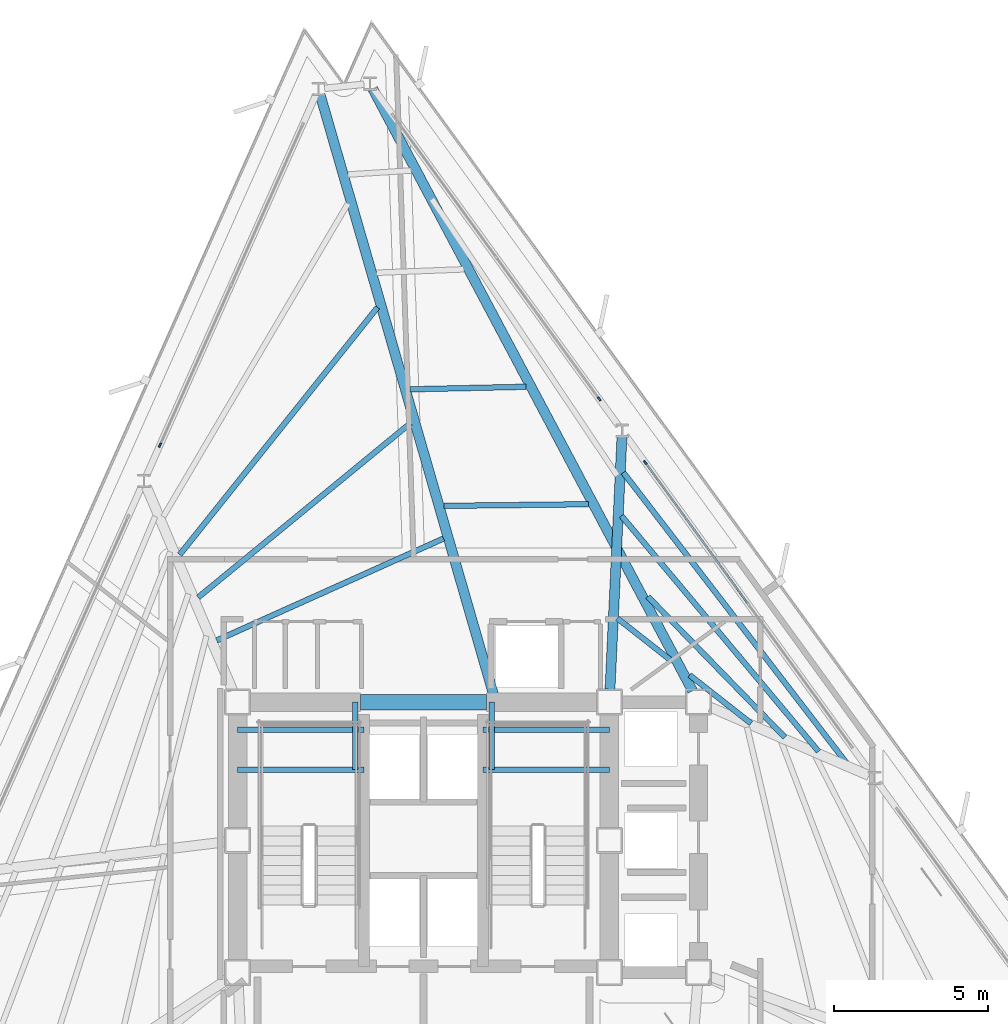
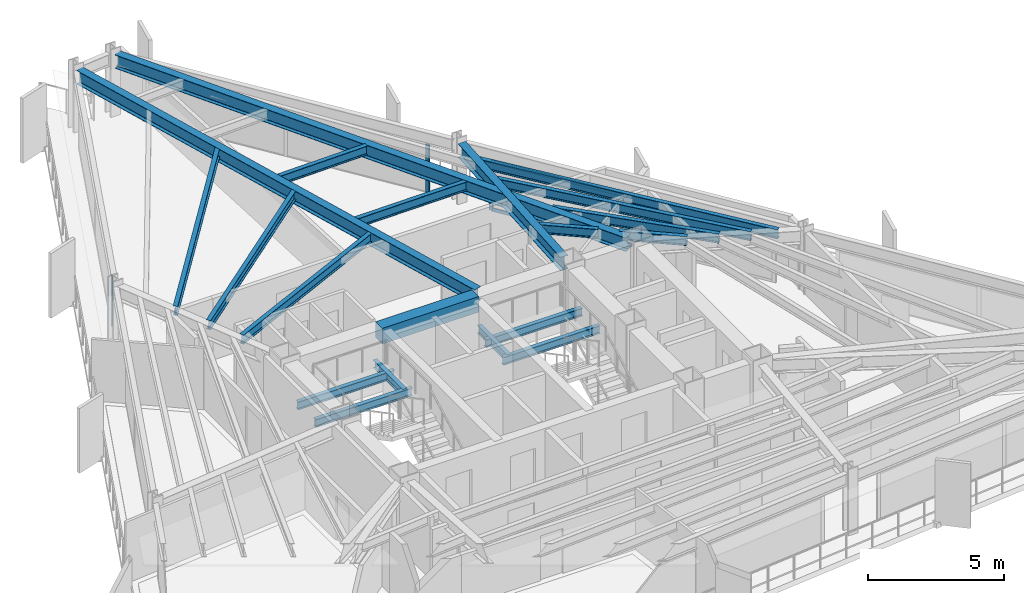
# One storey, part 4 of 12: 20 beams, 5 members, 3 elements without a shape of their own.
"""IFC4 building model written with IfcOpenShell, lengths in metres."""

from ifc_helpers import new_model, si_unit, direction, frame, origin, origin_2d, place, context, subcontext, project, spatial, rectangle, i_section, extrude, material, layer, layer_set, material_profile, profile_set, type_object, element, aggregate, save


model = new_model("IFC4")

# Units and contexts
model_context = context("Model", 3, precision=1e-05, world=origin(), true_north=direction((0.0, 1.0)))
body_context = subcontext(model_context, "Body", "Model", "MODEL_VIEW")
ifc_project = project(units=[si_unit("LENGTHUNIT", "METRE"), si_unit("AREAUNIT", "SQUARE_METRE"), si_unit("VOLUMEUNIT", "CUBIC_METRE"), si_unit("PLANEANGLEUNIT", "RADIAN"), si_unit("MASSUNIT", "GRAM", prefix="KILO")], contexts=[model_context])

# Site, building, storey
site_placement = place(None, origin())
site = spatial("IfcSite", under=ifc_project, at=site_placement, CompositionType="ELEMENT")
building_placement = place(site_placement, origin())
building = spatial("IfcBuilding", under=site, at=building_placement, Name="Rocaltana Carrier Exchange", CompositionType="ELEMENT")
storey_placement = place(building_placement, frame((0.0, 0.0, 107.679931640625)))
storey = spatial("IfcBuildingStorey", under=building, at=storey_placement, Name="L33", CompositionType="ELEMENT", Elevation=107.679931640625)

# Curtain wall, member
ifc_material_1 = material(Name="Aluminium 6063-T6", Category="aluminium")
ifc_layer = layer(ifc_material_1, 0.14990234375)
ifc_layer_set = layer_set([ifc_layer], Name="Aluminium 6063-T6")
curtain_wall_type = type_object("IfcCurtainWallType", Name="Mid-Tower Unitised Curtain Wall CW-03", PredefinedType="NOTDEFINED", material=ifc_layer_set)
curtain_wall_1_placement = place(storey_placement, origin())
curtain_wall_1 = element("IfcCurtainWall", 1, at=curtain_wall_1_placement, inside=storey, type_object=curtain_wall_type, Name="L33 CW-03 Run CW-L33-F1S2", PredefinedType="NOTDEFINED")
ifc_material_2 = material(Name="Aluminium 6063-T6", Category="aluminium")
ifc_material_profile_1 = material_profile(ifc_material_2, rectangle(XDim=0.06005859375, YDim=0.14990234375, at=origin_2d()), Name="AL-60X150")
ifc_profile_set_1 = profile_set([ifc_material_profile_1], Name="Aluminium 6063-T6")
member_type_1 = type_object("IfcMemberType", Name="CW-03 Mullion AL-60X150", PredefinedType="MULLION", material=ifc_profile_set_1)
member_1_placement = place(storey_placement, frame((7.22021484375, 12.29541015625, 0.0), z_axis=(0.0, 0.0, 1.0), x_axis=(-0.809013555195, -0.587789985889, 0.0)))
member_1 = element("IfcMember", 2, at=member_1_placement, type_object=member_type_1, Name="CW-03 mullion 3", PredefinedType="MULLION", context=body_context, shape_type="SweptSolid", body=[
    extrude(rectangle(XDim=0.06005859375, YDim=0.14990234375, at=origin_2d()), origin(), (0.0, 0.0, 1.0), 2.218017578125),
])

curtain_wall_2_placement = place(storey_placement, origin())
curtain_wall_2 = element("IfcCurtainWall", 3, at=curtain_wall_2_placement, inside=storey, type_object=curtain_wall_type, Name="L33 CW-03 Run CW-L33-F1S3", PredefinedType="NOTDEFINED")
member_2_placement = place(storey_placement, frame((5.715576171875, 14.366455078125, 0.0), z_axis=(0.0, 0.0, 1.0), x_axis=(-0.809013555195, -0.587789985889, 0.0)))
member_2 = element("IfcMember", 4, at=member_2_placement, type_object=member_type_1, Name="CW-03 mullion 1", PredefinedType="MULLION", context=body_context, shape_type="SweptSolid", body=[
    extrude(rectangle(XDim=0.06005859375, YDim=0.14990234375, at=origin_2d()), origin(), (0.0, 0.0, 1.0), 2.218017578125),
])
aggregate(curtain_wall_2, [member_2])

curtain_wall_3_placement = place(storey_placement, origin())
curtain_wall_3 = element("IfcCurtainWall", 5, at=curtain_wall_3_placement, inside=storey, type_object=curtain_wall_type, Name="L33 CW-03 Run CW-L33-F2S1", PredefinedType="NOTDEFINED")
member_3_placement = place(storey_placement, frame((-8.577392578125, 12.8642578125, 0.0), z_axis=(0.0, 0.0, 1.0), x_axis=(0.913543791084, -0.406740386206, 0.0)))
member_3 = element("IfcMember", 6, at=member_3_placement, type_object=member_type_1, Name="CW-03 mullion 3", PredefinedType="MULLION", context=body_context, shape_type="SweptSolid", body=[
    extrude(rectangle(XDim=0.06005859375, YDim=0.14990234375, at=origin_2d()), origin(), (0.0, 0.0, 1.0), 2.218017578125),
])
aggregate(curtain_wall_3, [member_3])

# Member
ifc_material_3 = material(Name="Aluminium 6063-T6", Category="aluminium")
ifc_material_profile_2 = material_profile(ifc_material_3, rectangle(XDim=0.06005859375, YDim=0.14990234375, at=origin_2d()), Name="AL-60X150")
ifc_profile_set_2 = profile_set([ifc_material_profile_2], Name="Aluminium 6063-T6")
member_type_2 = type_object("IfcMemberType", Name="CW-03 Transom AL-60X150", PredefinedType="USERDEFINED", material=ifc_profile_set_2)
member_4_placement = place(storey_placement, frame((10.554931640625, 7.70556640625, 0.030029296875), z_axis=(-0.58778321885, 0.809018471753, 0.0), x_axis=(-0.809018471753, -0.58778321885, 0.0)))
member_4 = element("IfcMember", 7, at=member_4_placement, type_object=member_type_2, Name="CW-03 transom 2.1", ObjectType="TRANSOM", PredefinedType="USERDEFINED", context=body_context, shape_type="SweptSolid", body=[
    extrude(rectangle(XDim=0.06005859375, YDim=0.14990234375, at=origin_2d()), origin(), (0.0, 0.0, 1.0), 5.6435546875),
])

member_5_placement = place(storey_placement, frame((10.554931640625, 7.70556640625, 2.18798828125), z_axis=(-0.58778321885, 0.809018471753, 0.0), x_axis=(-0.809018471753, -0.58778321885, 0.0)))
member_5 = element("IfcMember", 8, at=member_5_placement, type_object=member_type_2, Name="CW-03 transom 2.2", ObjectType="TRANSOM", PredefinedType="USERDEFINED", context=body_context, shape_type="SweptSolid", body=[
    extrude(rectangle(XDim=0.06005859375, YDim=0.14990234375, at=origin_2d()), origin(), (0.0, 0.0, 1.0), 5.6435546875),
])

aggregate(curtain_wall_1, [member_1, member_4, member_5])

# Beams
ifc_material_4 = material(Name="Concrete C60/75", Category="concrete")
ifc_material_profile_3 = material_profile(ifc_material_4, rectangle(XDim=0.5, YDim=0.699951171875, at=origin_2d()), Name="RC-BM-500X700")
ifc_profile_set_3 = profile_set([ifc_material_profile_3], Name="Concrete C60/75")
beam_type_1 = type_object("IfcBeamType", Name="Core Coupling Lintel 500x700", PredefinedType="LINTEL", material=ifc_profile_set_3)
beam_1_placement = place(storey_placement, frame((-2.050048828125, 4.5, 2.43798828125), z_axis=(1.0, 0.0, 0.0), x_axis=(0.0, 1.0, 0.0)))
element("IfcBeam", 9, at=beam_1_placement, inside=storey, type_object=beam_type_1, Name="L33 Core Coupling Lintel CL-N", PredefinedType="LINTEL", context=body_context, shape_type="SweptSolid", body=[
    extrude(rectangle(XDim=0.5, YDim=0.699951171875, at=origin_2d()), origin(), (0.0, 0.0, 1.0), 4.10009765625),
])
ifc_material_5 = material(Name="Steel S355", Category="steel")
ifc_material_profile_4 = material_profile(ifc_material_5, i_section(OverallWidth=0.172119140625, OverallDepth=0.35791015625, WebThickness=0.0078125, FlangeThickness=0.01318359375, FilletRadius=0.011962890625, at=origin_2d()), Name="W14X38")
ifc_profile_set_4 = profile_set([ifc_material_profile_4], Name="Steel S355")
beam_type_2 = type_object("IfcBeamType", Name="Floor Joist W14X38", PredefinedType="JOIST", material=ifc_profile_set_4)
for number, where, z_axis, x_axis, name in (
    (10, (-6.050048828125, 2.300048828125, 1.14111328125), (1.0, 0.0, 0.0), (0.0, 1.0, 0.0), "L33 ST-1 Landing Carrier 1"),
    (11, (1.93994140625, 2.300048828125, 1.14111328125), (1.0, 0.0, 0.0), (0.0, 1.0, 0.0), "L33 ST-2 Landing Carrier 1"),
    (12, (-6.050048828125, 3.60009765625, 1.14111328125), (1.0, 0.0, 0.0), (0.0, 1.0, 0.0), "L33 ST-1 Landing Carrier 2"),
    (13, (1.93994140625, 3.60009765625, 1.14111328125), (1.0, 0.0, 0.0), (0.0, 1.0, 0.0), "L33 ST-2 Landing Carrier 2"),
):
    element("IfcBeam", number, at=place(storey_placement, frame(where, z_axis=z_axis, x_axis=x_axis)), inside=storey, type_object=beam_type_2, Name=name, PredefinedType="JOIST", context=body_context, shape_type="SweptSolid", body=[
        extrude(i_section(OverallWidth=0.172119140625, OverallDepth=0.35791015625, WebThickness=0.0078125, FlangeThickness=0.01318359375, FilletRadius=0.011962890625, at=origin_2d()), origin(), (0.0, 0.0, 1.0), 4.110107421875),
    ])
for number, where, z_axis, x_axis, name in (
    (14, (-2.219970703125, 2.300048828125, 1.14111328125), (0.0, 1.0, 0.0), (-1.0, 0.0, 0.0), "L33 ST-1 Landing Cross Trimmer"),
    (15, (2.219970703125, 2.300048828125, 1.14111328125), (0.0, 1.0, 0.0), (-1.0, 0.0, 0.0), "L33 ST-2 Landing Cross Trimmer"),
):
    element("IfcBeam", number, at=place(storey_placement, frame(where, z_axis=z_axis, x_axis=x_axis)), inside=storey, type_object=beam_type_2, Name=name, PredefinedType="JOIST", context=body_context, shape_type="SweptSolid", body=[
        extrude(i_section(OverallWidth=0.172119140625, OverallDepth=0.35791015625, WebThickness=0.0078125, FlangeThickness=0.01318359375, FilletRadius=0.011962890625, at=origin_2d()), origin(), (0.0, 0.0, 1.0), 2.199951171875),
    ])
ifc_material_6 = material(Name="Steel S355", Category="steel")
ifc_material_profile_5 = material_profile(ifc_material_6, i_section(OverallWidth=0.179931640625, OverallDepth=0.4130859375, WebThickness=0.009765625, FlangeThickness=0.01611328125, FilletRadius=0.012939453125, at=origin_2d()), Name="W16X50")
ifc_profile_set_5 = profile_set([ifc_material_profile_5], Name="Steel S355")
beam_type_3 = type_object("IfcBeamType", Name="Floor Joist W16X50", PredefinedType="JOIST", material=ifc_profile_set_5)
beam_2_placement = place(storey_placement, frame((10.66015625, 3.806640625, 2.58154296875), z_axis=(-0.786171683664, 0.618008158365, 0.0), x_axis=(-0.618008158365, -0.786171683664, 0.0)))
element("IfcBeam", 16, at=beam_2_placement, inside=storey, type_object=beam_type_3, Name="FJ-L33-02-1S1", PredefinedType="JOIST", context=body_context, shape_type="SweptSolid", body=[
    extrude(i_section(OverallWidth=0.179931640625, OverallDepth=0.4130859375, WebThickness=0.009765625, FlangeThickness=0.01611328125, FilletRadius=0.012939453125, at=origin_2d()), origin(), (0.0, 0.0, 1.0), 2.5419921875),
])
beam_3_placement = place(storey_placement, frame((8.051025390625, 5.85791015625, 2.58154296875), z_axis=(-0.786142704991, 0.61804502052, 0.0), x_axis=(-0.61804502052, -0.786142704991, 0.0)))
element("IfcBeam", 17, at=beam_3_placement, inside=storey, type_object=beam_type_3, Name="FJ-L33-02-1S2", PredefinedType="JOIST", context=body_context, shape_type="SweptSolid", body=[
    extrude(i_section(OverallWidth=0.179931640625, OverallDepth=0.4130859375, WebThickness=0.009765625, FlangeThickness=0.01611328125, FilletRadius=0.012939453125, at=origin_2d()), origin(), (0.0, 0.0, 1.0), 2.21923828125),
])
beam_4_placement = place(storey_placement, frame((11.76220703125, 3.35302734375, 2.58154296875), z_axis=(-0.697417522087, 0.716665054182, 0.0), x_axis=(-0.716665054182, -0.697417522087, 0.0)))
element("IfcBeam", 18, at=beam_4_placement, inside=storey, type_object=beam_type_3, Name="FJ-L33-02-2", PredefinedType="JOIST", context=body_context, shape_type="SweptSolid", body=[
    extrude(i_section(OverallWidth=0.179931640625, OverallDepth=0.4130859375, WebThickness=0.009765625, FlangeThickness=0.01611328125, FilletRadius=0.012939453125, at=origin_2d()), origin(), (0.0, 0.0, 1.0), 6.392822265625),
])
beam_5_placement = place(storey_placement, frame((12.85888671875, 2.891845703125, 2.58154296875), z_axis=(-0.641626502417, 0.767017230182, 0.0), x_axis=(-0.767017230182, -0.641626502417, 0.0)))
element("IfcBeam", 19, at=beam_5_placement, inside=storey, type_object=beam_type_3, Name="FJ-L33-02-3", PredefinedType="JOIST", context=body_context, shape_type="SweptSolid", body=[
    extrude(i_section(OverallWidth=0.179931640625, OverallDepth=0.4130859375, WebThickness=0.009765625, FlangeThickness=0.01611328125, FilletRadius=0.012939453125, at=origin_2d()), origin(), (0.0, 0.0, 1.0), 10.0),
])
beam_6_placement = place(storey_placement, frame((13.7802734375, 2.5009765625, 2.58154296875), z_axis=(-0.60925224181, 0.792976485054, 0.0), x_axis=(-0.792976485054, -0.60925224181, 0.0)))
element("IfcBeam", 20, at=beam_6_placement, inside=storey, type_object=beam_type_3, Name="FJ-L33-02-4", PredefinedType="JOIST", context=body_context, shape_type="SweptSolid", body=[
    extrude(i_section(OverallWidth=0.179931640625, OverallDepth=0.4130859375, WebThickness=0.009765625, FlangeThickness=0.01611328125, FilletRadius=0.012939453125, at=origin_2d()), origin(), (0.0, 0.0, 1.0), 11.9423828125),
])
beam_7_placement = place(storey_placement, frame((5.372802734375, 10.93994140625, 2.58154296875), z_axis=(-0.999937391673, -0.01118984958, 0.0), x_axis=(0.01118984958, -0.999937391673, 0.0)))
element("IfcBeam", 21, at=beam_7_placement, inside=storey, type_object=beam_type_3, Name="FJ-L33-04-1", PredefinedType="JOIST", context=body_context, shape_type="SweptSolid", body=[
    extrude(i_section(OverallWidth=0.179931640625, OverallDepth=0.4130859375, WebThickness=0.009765625, FlangeThickness=0.01611328125, FilletRadius=0.012939453125, at=origin_2d()), origin(), (0.0, 0.0, 1.0), 4.712646484375),
])
beam_8_placement = place(storey_placement, frame((3.34130859375, 14.762939453125, 2.58154296875), z_axis=(-0.999758539531, -0.02197413559, 0.0), x_axis=(0.02197413559, -0.999758539531, 0.0)))
element("IfcBeam", 22, at=beam_8_placement, inside=storey, type_object=beam_type_3, Name="FJ-L33-04-2", PredefinedType="JOIST", context=body_context, shape_type="SweptSolid", body=[
    extrude(i_section(OverallWidth=0.179931640625, OverallDepth=0.4130859375, WebThickness=0.009765625, FlangeThickness=0.01611328125, FilletRadius=0.012939453125, at=origin_2d()), origin(), (0.0, 0.0, 1.0), 3.777587890625),
])
beam_9_placement = place(storey_placement, frame((0.650390625, 9.82373046875, 2.58154296875), z_axis=(-0.912122924313, -0.409916785388, 0.0), x_axis=(0.409916785388, -0.912122924313, 0.0)))
element("IfcBeam", 23, at=beam_9_placement, inside=storey, type_object=beam_type_3, Name="FJ-L33-05-1", PredefinedType="JOIST", context=body_context, shape_type="SweptSolid", body=[
    extrude(i_section(OverallWidth=0.179931640625, OverallDepth=0.4130859375, WebThickness=0.009765625, FlangeThickness=0.01611328125, FilletRadius=0.012939453125, at=origin_2d()), origin(), (0.0, 0.0, 1.0), 8.09228515625),
])
beam_10_placement = place(storey_placement, frame((-0.423583984375, 13.579833984375, 2.58154296875), z_axis=(-0.772904703417, -0.634522118949, 0.0), x_axis=(0.634522118949, -0.772904703417, 0.0)))
element("IfcBeam", 24, at=beam_10_placement, inside=storey, type_object=beam_type_3, Name="FJ-L33-05-2", PredefinedType="JOIST", context=body_context, shape_type="SweptSolid", body=[
    extrude(i_section(OverallWidth=0.179931640625, OverallDepth=0.4130859375, WebThickness=0.009765625, FlangeThickness=0.01611328125, FilletRadius=0.012939453125, at=origin_2d()), origin(), (0.0, 0.0, 1.0), 8.937744140625),
])
beam_11_placement = place(storey_placement, frame((-1.49609375, 17.348388671875, 2.58154296875), z_axis=(-0.624570833633, -0.78096816438, 0.0), x_axis=(0.78096816438, -0.624570833633, 0.0)))
element("IfcBeam", 25, at=beam_11_placement, inside=storey, type_object=beam_type_3, Name="FJ-L33-05-3", PredefinedType="JOIST", context=body_context, shape_type="SweptSolid", body=[
    extrude(i_section(OverallWidth=0.179931640625, OverallDepth=0.4130859375, WebThickness=0.009765625, FlangeThickness=0.01611328125, FilletRadius=0.012939453125, at=origin_2d()), origin(), (0.0, 0.0, 1.0), 10.307373046875),
])
ifc_material_7 = material(Name="Steel S355", Category="steel")
ifc_material_profile_6 = material_profile(ifc_material_7, i_section(OverallWidth=0.323974609375, OverallDepth=0.611083984375, WebThickness=0.0126953125, FlangeThickness=0.01904296875, FilletRadius=0.01611328125, at=origin_2d()), Name="W24X104")
ifc_profile_set_6 = profile_set([ifc_material_profile_6], Name="Steel S355")
beam_type_4 = type_object("IfcBeamType", Name="Radial Girder W24X104", PredefinedType="BEAM", material=ifc_profile_set_6)
beam_12_placement = place(storey_placement, frame((6.069580078125, 4.91650390625, 2.482666015625), z_axis=(0.047278898031, 0.998881727634, 0.0), x_axis=(-0.998881727634, 0.047278898031, 0.0)))
element("IfcBeam", 26, at=beam_12_placement, inside=storey, type_object=beam_type_4, Name="RG-L33-03", PredefinedType="BEAM", context=body_context, shape_type="SweptSolid", body=[
    extrude(i_section(OverallWidth=0.323974609375, OverallDepth=0.611083984375, WebThickness=0.0126953125, FlangeThickness=0.01904296875, FilletRadius=0.01611328125, at=origin_2d()), origin(), (0.0, 0.0, 1.0), 8.22607421875),
])
beam_13_placement = place(storey_placement, frame((8.75439453125, 4.868408203125, 2.482666015625), z_axis=(-0.469068298705, 0.883161894077, 0.0), x_axis=(-0.883161894077, -0.469068298705, 0.0)))
element("IfcBeam", 27, at=beam_13_placement, inside=storey, type_object=beam_type_4, Name="RG-L33-04", PredefinedType="BEAM", context=body_context, shape_type="SweptSolid", body=[
    extrude(i_section(OverallWidth=0.323974609375, OverallDepth=0.611083984375, WebThickness=0.0126953125, FlangeThickness=0.01904296875, FilletRadius=0.01611328125, at=origin_2d()), origin(), (0.0, 0.0, 1.0), 22.17822265625),
])
beam_14_placement = place(storey_placement, frame((2.28271484375, 4.732421875, 2.482666015625), z_axis=(-0.277657134471, 0.960680235915, 0.0), x_axis=(-0.960680235915, -0.277657134471, 0.0)))
element("IfcBeam", 28, at=beam_14_placement, inside=storey, type_object=beam_type_4, Name="RG-L33-05", PredefinedType="BEAM", context=body_context, shape_type="SweptSolid", body=[
    extrude(i_section(OverallWidth=0.323974609375, OverallDepth=0.611083984375, WebThickness=0.0126953125, FlangeThickness=0.01904296875, FilletRadius=0.01611328125, at=origin_2d()), origin(), (0.0, 0.0, 1.0), 20.330810546875),
])

save(model, "model.ifc")
